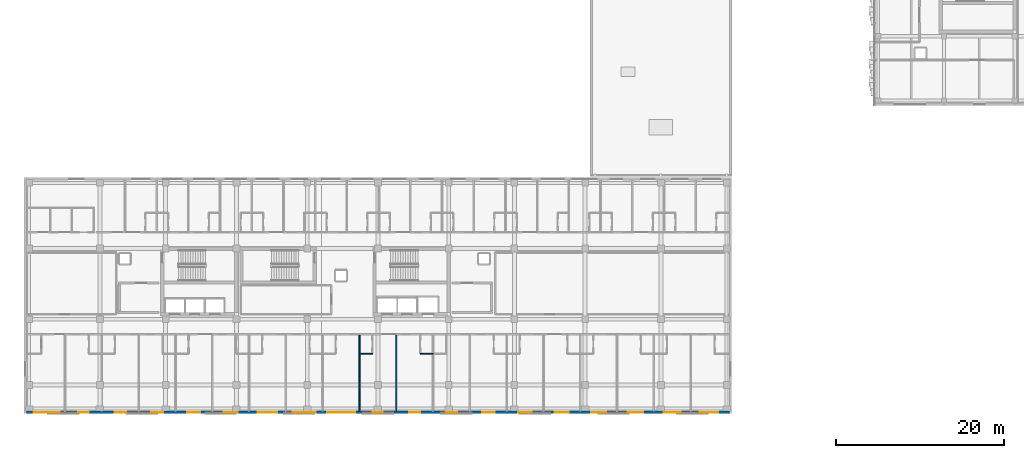
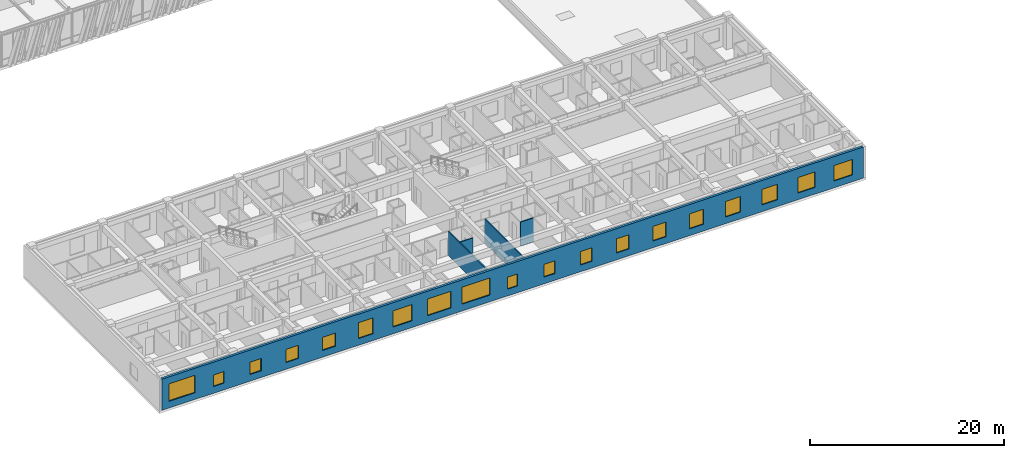
# One storey, part 98 of 127: 19 windows, 5 walls, 19 openings.
"""IFC4 building model written with IfcOpenShell, lengths in metres."""

from ifc_helpers import new_model, si_unit, direction, frame, frame_2d, origin, place, context, subcontext, project, spatial, rectangle, extrude, material, layer, layer_set, type_object, element, fill, save


model = new_model("IFC4")

# Units and contexts
model_context = context("Model", 3, precision=1e-05, world=origin(), true_north=direction((0.0, 1.0)))
body_context = subcontext(model_context, "Body", "Model", "MODEL_VIEW")
ifc_project = project(units=[si_unit("LENGTHUNIT", "METRE"), si_unit("AREAUNIT", "SQUARE_METRE"), si_unit("VOLUMEUNIT", "CUBIC_METRE"), si_unit("PLANEANGLEUNIT", "RADIAN"), si_unit("MASSUNIT", "GRAM", prefix="KILO")], contexts=[model_context])

# Site, building, storey
site_placement = place(None, origin())
site = spatial("IfcSite", under=ifc_project, at=site_placement, CompositionType="ELEMENT")
building_placement = place(site_placement, origin())
building = spatial("IfcBuilding", under=site, at=building_placement, Name="Zayran Congress Hotel", CompositionType="ELEMENT")
storey_placement = place(building_placement, frame((0.0, 0.0, 10.800048828125)))
storey = spatial("IfcBuildingStorey", under=building, at=storey_placement, Name="L02", CompositionType="ELEMENT", Elevation=10.800048828125)

# Wall, openings, windows
ifc_material_1 = material(Name="Hajar Ma'ani limestone cavity wall and concrete C32/40", Category="masonry")
ifc_layer_1 = layer(ifc_material_1, 0.280029296875)
ifc_layer_set_1 = layer_set([ifc_layer_1], Name="Hajar Ma'ani limestone cavity wall and concrete C32/40")
wall_type_1 = type_object("IfcWallType", Name="WL-EX-280", PredefinedType="SOLIDWALL", material=ifc_layer_set_1)
wall_placement = place(storey_placement, frame((92.1201171875, 6.139892578125, 0.0), z_axis=(0.0, 0.0, 1.0), x_axis=(-1.0, 0.0, 0.0)))
wall = element("IfcWall", 1, at=wall_placement, inside=storey, type_object=wall_type_1, Name="EW-V5-S-L02", PredefinedType="SOLIDWALL", context=body_context, shape_type="SweptSolid", body=[
    extrude(rectangle(XDim=83.440185546875, YDim=0.280029296875, at=frame_2d((41.72021484375, 0.0))), origin(), (0.0, 0.0, 1.0), 3.919921875),
])
opening_1_placement = place(wall_placement, frame((79.486083984375, 0.0, 0.85009765625)))
opening_1 = element("IfcOpeningElement", 2, at=opening_1_placement, cuts=wall, Name="Opening WN-20", PredefinedType="OPENING", context=body_context, shape_type="SweptSolid", body=[
    extrude(rectangle(XDim=3.10009765625, YDim=2.199951171875, at=frame_2d((1.550048828125, 1.10009765625))), frame((0.0, 0.14990234375, 0.0), z_axis=(0.0, -1.0, 0.0), x_axis=(1.0, 0.0, 0.0)), (0.0, 0.0, 1.0), 0.300048828125),
])
opening_2_placement = place(wall_placement, frame((76.04296875, 0.0, 0.85009765625)))
opening_2 = element("IfcOpeningElement", 3, at=opening_2_placement, cuts=wall, Name="Opening WN-23", PredefinedType="OPENING", context=body_context, shape_type="SweptSolid", body=[
    extrude(rectangle(XDim=1.25, YDim=1.449951171875, at=frame_2d((0.625, 0.72509765625))), frame((0.0, 0.14990234375, 0.0), z_axis=(0.0, -1.0, 0.0), x_axis=(1.0, 0.0, 0.0)), (0.0, 0.0, 1.0), 0.300048828125),
])
opening_3_placement = place(wall_placement, frame((71.6240234375, 0.0, 0.85009765625)))
opening_3 = element("IfcOpeningElement", 4, at=opening_3_placement, cuts=wall, Name="Opening WN-24", PredefinedType="OPENING", context=body_context, shape_type="SweptSolid", body=[
    extrude(rectangle(XDim=1.35009765625, YDim=1.550048828125, at=frame_2d((0.675048828125, 0.77490234375))), frame((0.0, 0.14990234375, 0.0), z_axis=(0.0, -1.0, 0.0), x_axis=(1.0, 0.0, 0.0)), (0.0, 0.0, 1.0), 0.300048828125),
])
opening_4_placement = place(wall_placement, frame((67.2060546875, 0.0, 0.85009765625)))
opening_4 = element("IfcOpeningElement", 5, at=opening_4_placement, cuts=wall, Name="Opening WN-25", PredefinedType="OPENING", context=body_context, shape_type="SweptSolid", body=[
    extrude(rectangle(XDim=1.449951171875, YDim=1.64990234375, at=frame_2d((0.72509765625, 0.824951171875))), frame((0.0, 0.14990234375, 0.0), z_axis=(0.0, -1.0, 0.0), x_axis=(1.0, 0.0, 0.0)), (0.0, 0.0, 1.0), 0.300048828125),
])
opening_5_placement = place(wall_placement, frame((62.787109375, 0.0, 0.85009765625)))
opening_5 = element("IfcOpeningElement", 6, at=opening_5_placement, cuts=wall, Name="Opening WN-26", PredefinedType="OPENING", context=body_context, shape_type="SweptSolid", body=[
    extrude(rectangle(XDim=1.550048828125, YDim=1.64990234375, at=frame_2d((0.77490234375, 0.824951171875))), frame((0.0, 0.14990234375, 0.0), z_axis=(0.0, -1.0, 0.0), x_axis=(1.0, 0.0, 0.0)), (0.0, 0.0, 1.0), 0.300048828125),
])
opening_6_placement = place(wall_placement, frame((58.343994140625, 0.0, 0.85009765625)))
opening_6 = element("IfcOpeningElement", 7, at=opening_6_placement, cuts=wall, Name="Opening WN-27", PredefinedType="OPENING", context=body_context, shape_type="SweptSolid", body=[
    extrude(rectangle(XDim=1.699951171875, YDim=2.0, at=frame_2d((0.85009765625, 1.0))), frame((0.0, 0.14990234375, 0.0), z_axis=(0.0, -1.0, 0.0), x_axis=(1.0, 0.0, 0.0)), (0.0, 0.0, 1.0), 0.300048828125),
])
opening_7_placement = place(wall_placement, frame((53.675048828125, 0.0, 0.85009765625)))
opening_7 = element("IfcOpeningElement", 8, at=opening_7_placement, cuts=wall, Name="Opening WN-28", PredefinedType="OPENING", context=body_context, shape_type="SweptSolid", body=[
    extrude(rectangle(XDim=2.300048828125, YDim=2.050048828125, at=frame_2d((1.14990234375, 1.02490234375))), frame((0.0, 0.14990234375, 0.0), z_axis=(0.0, -1.0, 0.0), x_axis=(1.0, 0.0, 0.0)), (0.0, 0.0, 1.0), 0.300048828125),
])
opening_8_placement = place(wall_placement, frame((49.08203125, 0.0, 0.85009765625)))
opening_8 = element("IfcOpeningElement", 9, at=opening_8_placement, cuts=wall, Name="Opening WN-29", PredefinedType="OPENING", context=body_context, shape_type="SweptSolid", body=[
    extrude(rectangle(XDim=2.75, YDim=2.10009765625, at=frame_2d((1.375, 1.050048828125))), frame((0.0, 0.14990234375, 0.0), z_axis=(0.0, -1.0, 0.0), x_axis=(1.0, 0.0, 0.0)), (0.0, 0.0, 1.0), 0.300048828125),
])
opening_9_placement = place(wall_placement, frame((44.43896484375, 0.0, 0.85009765625)))
opening_9 = element("IfcOpeningElement", 10, at=opening_9_placement, cuts=wall, Name="Opening WN-30", PredefinedType="OPENING", context=body_context, shape_type="SweptSolid", body=[
    extrude(rectangle(XDim=3.300048828125, YDim=2.14990234375, at=frame_2d((1.64990234375, 1.074951171875))), frame((0.0, 0.14990234375, 0.0), z_axis=(0.0, -1.0, 0.0), x_axis=(1.0, 0.0, 0.0)), (0.0, 0.0, 1.0), 0.300048828125),
])
opening_10_placement = place(wall_placement, frame((41.1298828125, 0.0, 0.85009765625)))
opening_10 = element("IfcOpeningElement", 11, at=opening_10_placement, cuts=wall, Name="Opening WN-31", PredefinedType="OPENING", context=body_context, shape_type="SweptSolid", body=[
    extrude(rectangle(XDim=1.179931640625, YDim=1.5, at=frame_2d((0.58984375, 0.75))), frame((0.0, 0.14990234375, 0.0), z_axis=(0.0, -1.0, 0.0), x_axis=(1.0, 0.0, 0.0)), (0.0, 0.0, 1.0), 0.300048828125),
])
opening_11_placement = place(wall_placement, frame((36.7119140625, 0.0, 0.85009765625)))
opening_11 = element("IfcOpeningElement", 12, at=opening_11_placement, cuts=wall, Name="Opening WN-32", PredefinedType="OPENING", context=body_context, shape_type="SweptSolid", body=[
    extrude(rectangle(XDim=1.280029296875, YDim=1.60009765625, at=frame_2d((0.64013671875, 0.800048828125))), frame((0.0, 0.14990234375, 0.0), z_axis=(0.0, -1.0, 0.0), x_axis=(1.0, 0.0, 0.0)), (0.0, 0.0, 1.0), 0.300048828125),
])
opening_12_placement = place(wall_placement, frame((32.29296875, 0.0, 0.85009765625)))
opening_12 = element("IfcOpeningElement", 13, at=opening_12_placement, cuts=wall, Name="Opening WN-33", PredefinedType="OPENING", context=body_context, shape_type="SweptSolid", body=[
    extrude(rectangle(XDim=1.3798828125, YDim=1.699951171875, at=frame_2d((0.68994140625, 0.85009765625))), frame((0.0, 0.14990234375, 0.0), z_axis=(0.0, -1.0, 0.0), x_axis=(1.0, 0.0, 0.0)), (0.0, 0.0, 1.0), 0.300048828125),
])
opening_13_placement = place(wall_placement, frame((27.875, 0.0, 0.85009765625)))
opening_13 = element("IfcOpeningElement", 14, at=opening_13_placement, cuts=wall, Name="Opening WN-34", PredefinedType="OPENING", context=body_context, shape_type="SweptSolid", body=[
    extrude(rectangle(XDim=1.47998046875, YDim=1.800048828125, at=frame_2d((0.739990234375, 0.89990234375))), frame((0.0, 0.14990234375, 0.0), z_axis=(0.0, -1.0, 0.0), x_axis=(1.0, 0.0, 0.0)), (0.0, 0.0, 1.0), 0.300048828125),
])
opening_14_placement = place(wall_placement, frame((23.4560546875, 0.0, 0.85009765625)))
opening_14 = element("IfcOpeningElement", 15, at=opening_14_placement, cuts=wall, Name="Opening WN-35", PredefinedType="OPENING", context=body_context, shape_type="SweptSolid", body=[
    extrude(rectangle(XDim=1.580078125, YDim=1.85009765625, at=frame_2d((0.7900390625, 0.925048828125))), frame((0.0, 0.14990234375, 0.0), z_axis=(0.0, -1.0, 0.0), x_axis=(1.0, 0.0, 0.0)), (0.0, 0.0, 1.0), 0.300048828125),
])
opening_15_placement = place(wall_placement, frame((19.0380859375, 0.0, 0.85009765625)))
opening_15 = element("IfcOpeningElement", 16, at=opening_15_placement, cuts=wall, Name="Opening WN-36", PredefinedType="OPENING", context=body_context, shape_type="SweptSolid", body=[
    extrude(rectangle(XDim=1.679931640625, YDim=1.89990234375, at=frame_2d((0.83984375, 0.949951171875))), frame((0.0, 0.14990234375, 0.0), z_axis=(0.0, -1.0, 0.0), x_axis=(1.0, 0.0, 0.0)), (0.0, 0.0, 1.0), 0.300048828125),
])
opening_16_placement = place(wall_placement, frame((14.6201171875, 0.0, 0.85009765625)))
opening_16 = element("IfcOpeningElement", 17, at=opening_16_placement, cuts=wall, Name="Opening WN-37", PredefinedType="OPENING", context=body_context, shape_type="SweptSolid", body=[
    extrude(rectangle(XDim=1.780029296875, YDim=1.949951171875, at=frame_2d((0.89013671875, 0.97509765625))), frame((0.0, 0.14990234375, 0.0), z_axis=(0.0, -1.0, 0.0), x_axis=(1.0, 0.0, 0.0)), (0.0, 0.0, 1.0), 0.300048828125),
])
opening_17_placement = place(wall_placement, frame((10.200927734375, 0.0, 0.85009765625)))
opening_17 = element("IfcOpeningElement", 18, at=opening_17_placement, cuts=wall, Name="Opening WN-38", PredefinedType="OPENING", context=body_context, shape_type="SweptSolid", body=[
    extrude(rectangle(XDim=1.8798828125, YDim=1.949951171875, at=frame_2d((0.93994140625, 0.97509765625))), frame((0.0, 0.14990234375, 0.0), z_axis=(0.0, -1.0, 0.0), x_axis=(1.0, 0.0, 0.0)), (0.0, 0.0, 1.0), 0.300048828125),
])
opening_18_placement = place(wall_placement, frame((5.748046875, 0.0, 0.85009765625)))
opening_18 = element("IfcOpeningElement", 19, at=opening_18_placement, cuts=wall, Name="Opening WN-39", PredefinedType="OPENING", context=body_context, shape_type="SweptSolid", body=[
    extrude(rectangle(XDim=2.050048828125, YDim=1.949951171875, at=frame_2d((1.02490234375, 0.97509765625))), frame((0.0, 0.14990234375, 0.0), z_axis=(0.0, -1.0, 0.0), x_axis=(1.0, 0.0, 0.0)), (0.0, 0.0, 1.0), 0.300048828125),
])
opening_19_placement = place(wall_placement, frame((1.31396484375, 0.0, 0.85009765625)))
opening_19 = element("IfcOpeningElement", 20, at=opening_19_placement, cuts=wall, Name="Opening WN-40", PredefinedType="OPENING", context=body_context, shape_type="SweptSolid", body=[
    extrude(rectangle(XDim=2.179931640625, YDim=1.949951171875, at=frame_2d((1.08984375, 0.97509765625))), frame((0.0, 0.14990234375, 0.0), z_axis=(0.0, -1.0, 0.0), x_axis=(1.0, 0.0, 0.0)), (0.0, 0.0, 1.0), 0.300048828125),
])
ifc_material_2 = material(Name="Anodised aluminium and low-E insulated glass", Category="aluminium")
window_type_1 = type_object("IfcWindowType", Name="TP-WN-20", PartitioningType="TRIPLE_PANEL_VERTICAL", PredefinedType="WINDOW", material=ifc_material_2)
window_1_placement = place(opening_1_placement, origin())
window_1 = element("IfcWindow", 21, at=window_1_placement, inside=storey, type_object=window_type_1, Name="WIN-V5S-L02-0191", OverallHeight=2.199951171875, OverallWidth=3.10009765625, PartitioningType="SINGLE_PANEL", PredefinedType="WINDOW", context=body_context, shape_type="SweptSolid", body=[
    extrude(rectangle(XDim=3.10009765625, YDim=2.199951171875, at=frame_2d((1.550048828125, 1.10009765625))), frame((0.0, 0.030029296875, 0.0), z_axis=(0.0, -1.0, 0.0), x_axis=(1.0, 0.0, 0.0)), (0.0, 0.0, 1.0), 0.06005859375),
])
fill(opening_1, window_1)
window_type_2 = type_object("IfcWindowType", Name="TP-WN-23", PartitioningType="SINGLE_PANEL", PredefinedType="WINDOW", material=ifc_material_2)
window_2_placement = place(opening_2_placement, origin())
window_2 = element("IfcWindow", 22, at=window_2_placement, inside=storey, type_object=window_type_2, Name="WIN-V5S-L02-0192", OverallHeight=1.449951171875, OverallWidth=1.25, PartitioningType="SINGLE_PANEL", PredefinedType="WINDOW", context=body_context, shape_type="SweptSolid", body=[
    extrude(rectangle(XDim=1.25, YDim=1.449951171875, at=frame_2d((0.625, 0.72509765625))), frame((0.0, 0.030029296875, 0.0), z_axis=(0.0, -1.0, 0.0), x_axis=(1.0, 0.0, 0.0)), (0.0, 0.0, 1.0), 0.06005859375),
])
fill(opening_2, window_2)
window_type_3 = type_object("IfcWindowType", Name="TP-WN-24", PartitioningType="SINGLE_PANEL", PredefinedType="WINDOW", material=ifc_material_2)
window_3_placement = place(opening_3_placement, origin())
window_3 = element("IfcWindow", 23, at=window_3_placement, inside=storey, type_object=window_type_3, Name="WIN-V5S-L02-0193", OverallHeight=1.550048828125, OverallWidth=1.35009765625, PartitioningType="SINGLE_PANEL", PredefinedType="WINDOW", context=body_context, shape_type="SweptSolid", body=[
    extrude(rectangle(XDim=1.35009765625, YDim=1.550048828125, at=frame_2d((0.675048828125, 0.77490234375))), frame((0.0, 0.030029296875, 0.0), z_axis=(0.0, -1.0, 0.0), x_axis=(1.0, 0.0, 0.0)), (0.0, 0.0, 1.0), 0.06005859375),
])
fill(opening_3, window_3)
window_type_4 = type_object("IfcWindowType", Name="TP-WN-25", PartitioningType="SINGLE_PANEL", PredefinedType="WINDOW", material=ifc_material_2)
window_4_placement = place(opening_4_placement, origin())
window_4 = element("IfcWindow", 24, at=window_4_placement, inside=storey, type_object=window_type_4, Name="WIN-V5S-L02-0194", OverallHeight=1.64990234375, OverallWidth=1.449951171875, PartitioningType="SINGLE_PANEL", PredefinedType="WINDOW", context=body_context, shape_type="SweptSolid", body=[
    extrude(rectangle(XDim=1.449951171875, YDim=1.64990234375, at=frame_2d((0.72509765625, 0.824951171875))), frame((0.0, 0.030029296875, 0.0), z_axis=(0.0, -1.0, 0.0), x_axis=(1.0, 0.0, 0.0)), (0.0, 0.0, 1.0), 0.06005859375),
])
fill(opening_4, window_4)
window_type_5 = type_object("IfcWindowType", Name="TP-WN-26", PartitioningType="SINGLE_PANEL", PredefinedType="WINDOW", material=ifc_material_2)
window_5_placement = place(opening_5_placement, origin())
window_5 = element("IfcWindow", 25, at=window_5_placement, inside=storey, type_object=window_type_5, Name="WIN-V5S-L02-0195", OverallHeight=1.64990234375, OverallWidth=1.550048828125, PartitioningType="SINGLE_PANEL", PredefinedType="WINDOW", context=body_context, shape_type="SweptSolid", body=[
    extrude(rectangle(XDim=1.550048828125, YDim=1.64990234375, at=frame_2d((0.77490234375, 0.824951171875))), frame((0.0, 0.030029296875, 0.0), z_axis=(0.0, -1.0, 0.0), x_axis=(1.0, 0.0, 0.0)), (0.0, 0.0, 1.0), 0.06005859375),
])
fill(opening_5, window_5)
window_type_6 = type_object("IfcWindowType", Name="TP-WN-27", PartitioningType="DOUBLE_PANEL_VERTICAL", PredefinedType="WINDOW", material=ifc_material_2)
window_6_placement = place(opening_6_placement, origin())
window_6 = element("IfcWindow", 26, at=window_6_placement, inside=storey, type_object=window_type_6, Name="WIN-V5S-L02-0196", OverallHeight=2.0, OverallWidth=1.699951171875, PartitioningType="SINGLE_PANEL", PredefinedType="WINDOW", context=body_context, shape_type="SweptSolid", body=[
    extrude(rectangle(XDim=1.699951171875, YDim=2.0, at=frame_2d((0.85009765625, 1.0))), frame((0.0, 0.030029296875, 0.0), z_axis=(0.0, -1.0, 0.0), x_axis=(1.0, 0.0, 0.0)), (0.0, 0.0, 1.0), 0.06005859375),
])
fill(opening_6, window_6)
window_type_7 = type_object("IfcWindowType", Name="TP-WN-28", PartitioningType="DOUBLE_PANEL_VERTICAL", PredefinedType="WINDOW", material=ifc_material_2)
window_7_placement = place(opening_7_placement, origin())
window_7 = element("IfcWindow", 27, at=window_7_placement, inside=storey, type_object=window_type_7, Name="WIN-V5S-L02-0197", OverallHeight=2.050048828125, OverallWidth=2.300048828125, PartitioningType="SINGLE_PANEL", PredefinedType="WINDOW", context=body_context, shape_type="SweptSolid", body=[
    extrude(rectangle(XDim=2.300048828125, YDim=2.050048828125, at=frame_2d((1.14990234375, 1.02490234375))), frame((0.0, 0.030029296875, 0.0), z_axis=(0.0, -1.0, 0.0), x_axis=(1.0, 0.0, 0.0)), (0.0, 0.0, 1.0), 0.06005859375),
])
fill(opening_7, window_7)
window_type_8 = type_object("IfcWindowType", Name="TP-WN-29", PartitioningType="TRIPLE_PANEL_VERTICAL", PredefinedType="WINDOW", material=ifc_material_2)
window_8_placement = place(opening_8_placement, origin())
window_8 = element("IfcWindow", 28, at=window_8_placement, inside=storey, type_object=window_type_8, Name="WIN-V5S-L02-0198", OverallHeight=2.10009765625, OverallWidth=2.75, PartitioningType="SINGLE_PANEL", PredefinedType="WINDOW", context=body_context, shape_type="SweptSolid", body=[
    extrude(rectangle(XDim=2.75, YDim=2.10009765625, at=frame_2d((1.375, 1.050048828125))), frame((0.0, 0.030029296875, 0.0), z_axis=(0.0, -1.0, 0.0), x_axis=(1.0, 0.0, 0.0)), (0.0, 0.0, 1.0), 0.06005859375),
])
fill(opening_8, window_8)
window_type_9 = type_object("IfcWindowType", Name="TP-WN-30", PartitioningType="TRIPLE_PANEL_VERTICAL", PredefinedType="WINDOW", material=ifc_material_2)
window_9_placement = place(opening_9_placement, origin())
window_9 = element("IfcWindow", 29, at=window_9_placement, inside=storey, type_object=window_type_9, Name="WIN-V5S-L02-0199", OverallHeight=2.14990234375, OverallWidth=3.300048828125, PartitioningType="SINGLE_PANEL", PredefinedType="WINDOW", context=body_context, shape_type="SweptSolid", body=[
    extrude(rectangle(XDim=3.300048828125, YDim=2.14990234375, at=frame_2d((1.64990234375, 1.074951171875))), frame((0.0, 0.030029296875, 0.0), z_axis=(0.0, -1.0, 0.0), x_axis=(1.0, 0.0, 0.0)), (0.0, 0.0, 1.0), 0.06005859375),
])
fill(opening_9, window_9)
window_type_10 = type_object("IfcWindowType", Name="TP-WN-31", PartitioningType="SINGLE_PANEL", PredefinedType="WINDOW", material=ifc_material_2)
window_10_placement = place(opening_10_placement, origin())
window_10 = element("IfcWindow", 30, at=window_10_placement, inside=storey, type_object=window_type_10, Name="WIN-V5S-L02-0200", OverallHeight=1.5, OverallWidth=1.179931640625, PartitioningType="SINGLE_PANEL", PredefinedType="WINDOW", context=body_context, shape_type="SweptSolid", body=[
    extrude(rectangle(XDim=1.179931640625, YDim=1.5, at=frame_2d((0.58984375, 0.75))), frame((0.0, 0.030029296875, 0.0), z_axis=(0.0, -1.0, 0.0), x_axis=(1.0, 0.0, 0.0)), (0.0, 0.0, 1.0), 0.06005859375),
])
fill(opening_10, window_10)
window_type_11 = type_object("IfcWindowType", Name="TP-WN-32", PartitioningType="SINGLE_PANEL", PredefinedType="WINDOW", material=ifc_material_2)
window_11_placement = place(opening_11_placement, origin())
window_11 = element("IfcWindow", 31, at=window_11_placement, inside=storey, type_object=window_type_11, Name="WIN-V5S-L02-0201", OverallHeight=1.60009765625, OverallWidth=1.280029296875, PartitioningType="SINGLE_PANEL", PredefinedType="WINDOW", context=body_context, shape_type="SweptSolid", body=[
    extrude(rectangle(XDim=1.280029296875, YDim=1.60009765625, at=frame_2d((0.64013671875, 0.800048828125))), frame((0.0, 0.030029296875, 0.0), z_axis=(0.0, -1.0, 0.0), x_axis=(1.0, 0.0, 0.0)), (0.0, 0.0, 1.0), 0.06005859375),
])
fill(opening_11, window_11)
window_type_12 = type_object("IfcWindowType", Name="TP-WN-33", PartitioningType="SINGLE_PANEL", PredefinedType="WINDOW", material=ifc_material_2)
window_12_placement = place(opening_12_placement, origin())
window_12 = element("IfcWindow", 32, at=window_12_placement, inside=storey, type_object=window_type_12, Name="WIN-V5S-L02-0202", OverallHeight=1.699951171875, OverallWidth=1.3798828125, PartitioningType="SINGLE_PANEL", PredefinedType="WINDOW", context=body_context, shape_type="SweptSolid", body=[
    extrude(rectangle(XDim=1.3798828125, YDim=1.699951171875, at=frame_2d((0.68994140625, 0.85009765625))), frame((0.0, 0.030029296875, 0.0), z_axis=(0.0, -1.0, 0.0), x_axis=(1.0, 0.0, 0.0)), (0.0, 0.0, 1.0), 0.06005859375),
])
fill(opening_12, window_12)
window_type_13 = type_object("IfcWindowType", Name="TP-WN-34", PartitioningType="SINGLE_PANEL", PredefinedType="WINDOW", material=ifc_material_2)
window_13_placement = place(opening_13_placement, origin())
window_13 = element("IfcWindow", 33, at=window_13_placement, inside=storey, type_object=window_type_13, Name="WIN-V5S-L02-0203", OverallHeight=1.800048828125, OverallWidth=1.47998046875, PartitioningType="SINGLE_PANEL", PredefinedType="WINDOW", context=body_context, shape_type="SweptSolid", body=[
    extrude(rectangle(XDim=1.47998046875, YDim=1.800048828125, at=frame_2d((0.739990234375, 0.89990234375))), frame((0.0, 0.030029296875, 0.0), z_axis=(0.0, -1.0, 0.0), x_axis=(1.0, 0.0, 0.0)), (0.0, 0.0, 1.0), 0.06005859375),
])
fill(opening_13, window_13)
window_type_14 = type_object("IfcWindowType", Name="TP-WN-35", PartitioningType="DOUBLE_PANEL_VERTICAL", PredefinedType="WINDOW", material=ifc_material_2)
window_14_placement = place(opening_14_placement, origin())
window_14 = element("IfcWindow", 34, at=window_14_placement, inside=storey, type_object=window_type_14, Name="WIN-V5S-L02-0204", OverallHeight=1.85009765625, OverallWidth=1.580078125, PartitioningType="SINGLE_PANEL", PredefinedType="WINDOW", context=body_context, shape_type="SweptSolid", body=[
    extrude(rectangle(XDim=1.580078125, YDim=1.85009765625, at=frame_2d((0.7900390625, 0.925048828125))), frame((0.0, 0.030029296875, 0.0), z_axis=(0.0, -1.0, 0.0), x_axis=(1.0, 0.0, 0.0)), (0.0, 0.0, 1.0), 0.06005859375),
])
fill(opening_14, window_14)
window_type_15 = type_object("IfcWindowType", Name="TP-WN-36", PartitioningType="DOUBLE_PANEL_VERTICAL", PredefinedType="WINDOW", material=ifc_material_2)
window_15_placement = place(opening_15_placement, origin())
window_15 = element("IfcWindow", 35, at=window_15_placement, inside=storey, type_object=window_type_15, Name="WIN-V5S-L02-0205", OverallHeight=1.89990234375, OverallWidth=1.679931640625, PartitioningType="SINGLE_PANEL", PredefinedType="WINDOW", context=body_context, shape_type="SweptSolid", body=[
    extrude(rectangle(XDim=1.679931640625, YDim=1.89990234375, at=frame_2d((0.83984375, 0.949951171875))), frame((0.0, 0.030029296875, 0.0), z_axis=(0.0, -1.0, 0.0), x_axis=(1.0, 0.0, 0.0)), (0.0, 0.0, 1.0), 0.06005859375),
])
fill(opening_15, window_15)
window_type_16 = type_object("IfcWindowType", Name="TP-WN-37", PartitioningType="DOUBLE_PANEL_VERTICAL", PredefinedType="WINDOW", material=ifc_material_2)
window_16_placement = place(opening_16_placement, origin())
window_16 = element("IfcWindow", 36, at=window_16_placement, inside=storey, type_object=window_type_16, Name="WIN-V5S-L02-0206", OverallHeight=1.949951171875, OverallWidth=1.780029296875, PartitioningType="SINGLE_PANEL", PredefinedType="WINDOW", context=body_context, shape_type="SweptSolid", body=[
    extrude(rectangle(XDim=1.780029296875, YDim=1.949951171875, at=frame_2d((0.89013671875, 0.97509765625))), frame((0.0, 0.030029296875, 0.0), z_axis=(0.0, -1.0, 0.0), x_axis=(1.0, 0.0, 0.0)), (0.0, 0.0, 1.0), 0.06005859375),
])
fill(opening_16, window_16)
window_type_17 = type_object("IfcWindowType", Name="TP-WN-38", PartitioningType="DOUBLE_PANEL_VERTICAL", PredefinedType="WINDOW", material=ifc_material_2)
window_17_placement = place(opening_17_placement, origin())
window_17 = element("IfcWindow", 37, at=window_17_placement, inside=storey, type_object=window_type_17, Name="WIN-V5S-L02-0207", OverallHeight=1.949951171875, OverallWidth=1.8798828125, PartitioningType="SINGLE_PANEL", PredefinedType="WINDOW", context=body_context, shape_type="SweptSolid", body=[
    extrude(rectangle(XDim=1.8798828125, YDim=1.949951171875, at=frame_2d((0.93994140625, 0.97509765625))), frame((0.0, 0.030029296875, 0.0), z_axis=(0.0, -1.0, 0.0), x_axis=(1.0, 0.0, 0.0)), (0.0, 0.0, 1.0), 0.06005859375),
])
fill(opening_17, window_17)
window_type_18 = type_object("IfcWindowType", Name="TP-WN-39", PartitioningType="DOUBLE_PANEL_VERTICAL", PredefinedType="WINDOW", material=ifc_material_2)
window_18_placement = place(opening_18_placement, origin())
window_18 = element("IfcWindow", 38, at=window_18_placement, inside=storey, type_object=window_type_18, Name="WIN-V5S-L02-0208", OverallHeight=1.949951171875, OverallWidth=2.050048828125, PartitioningType="SINGLE_PANEL", PredefinedType="WINDOW", context=body_context, shape_type="SweptSolid", body=[
    extrude(rectangle(XDim=2.050048828125, YDim=1.949951171875, at=frame_2d((1.02490234375, 0.97509765625))), frame((0.0, 0.030029296875, 0.0), z_axis=(0.0, -1.0, 0.0), x_axis=(1.0, 0.0, 0.0)), (0.0, 0.0, 1.0), 0.06005859375),
])
fill(opening_18, window_18)
window_type_19 = type_object("IfcWindowType", Name="TP-WN-40", PartitioningType="DOUBLE_PANEL_VERTICAL", PredefinedType="WINDOW", material=ifc_material_2)
window_19_placement = place(opening_19_placement, origin())
window_19 = element("IfcWindow", 39, at=window_19_placement, inside=storey, type_object=window_type_19, Name="WIN-V5S-L02-0209", OverallHeight=1.949951171875, OverallWidth=2.179931640625, PartitioningType="SINGLE_PANEL", PredefinedType="WINDOW", context=body_context, shape_type="SweptSolid", body=[
    extrude(rectangle(XDim=2.179931640625, YDim=1.949951171875, at=frame_2d((1.08984375, 0.97509765625))), frame((0.0, 0.030029296875, 0.0), z_axis=(0.0, -1.0, 0.0), x_axis=(1.0, 0.0, 0.0)), (0.0, 0.0, 1.0), 0.06005859375),
])
fill(opening_19, window_19)

# Walls
ifc_material_3 = material(Name="Hospitality guestroom acoustic partition", Category="gypsum")
ifc_layer_2 = layer(ifc_material_3, 0.139892578125)
ifc_layer_set_2 = layer_set([ifc_layer_2], Name="Hospitality guestroom acoustic partition")
wall_type_2 = type_object("IfcWallType", Name="WL-PT-140", PredefinedType="PARTITIONING", material=ifc_layer_set_2)
for number, where, z_axis, x_axis, name in (
    (40, (48.2060546875, 6.280029296875, 0.0), (0.0, 0.0, 1.0), (0.0, 1.0, 0.0), "IW-L02-1840"),
    (41, (52.573974609375, 6.280029296875, 0.0), (0.0, 0.0, 1.0), (0.0, 1.0, 0.0), "IW-L02-1841"),
):
    element("IfcWall", number, at=place(storey_placement, frame(where, z_axis=z_axis, x_axis=x_axis)), inside=storey, type_object=wall_type_2, Name=name, PredefinedType="PARTITIONING", context=body_context, shape_type="SweptSolid", body=[
        extrude(rectangle(XDim=9.14990234375, YDim=0.139892578125, at=frame_2d((4.574951171875, 0.0))), origin(), (0.0, 0.0, 1.0), 3.02001953125),
    ])
ifc_material_4 = material(Name="Moisture-resistant bathroom partition", Category="gypsum")
ifc_layer_3 = layer(ifc_material_4, 0.1201171875)
ifc_layer_set_3 = layer_set([ifc_layer_3], Name="Moisture-resistant bathroom partition")
wall_type_3 = type_object("IfcWallType", Name="WL-PT-120", PredefinedType="PARTITIONING", material=ifc_layer_set_3)
for number, where, z_axis, x_axis, name in (
    (42, (48.216064453125, 13.1298828125, 0.0), (0.0, 0.0, 1.0), (1.0, 0.0, 0.0), "IW-L02-0991"),
    (43, (55.404052734375, 13.1298828125, 0.0), (0.0, 0.0, 1.0), (1.0, 0.0, 0.0), "IW-L02-0993"),
):
    element("IfcWall", number, at=place(storey_placement, frame(where, z_axis=z_axis, x_axis=x_axis)), inside=storey, type_object=wall_type_3, Name=name, PredefinedType="PARTITIONING", context=body_context, shape_type="SweptSolid", body=[
        extrude(rectangle(XDim=1.548828125, YDim=0.1201171875, at=frame_2d((0.7744140625, 0.0))), origin(), (0.0, 0.0, 1.0), 3.02001953125),
    ])

save(model, "model.ifc")
